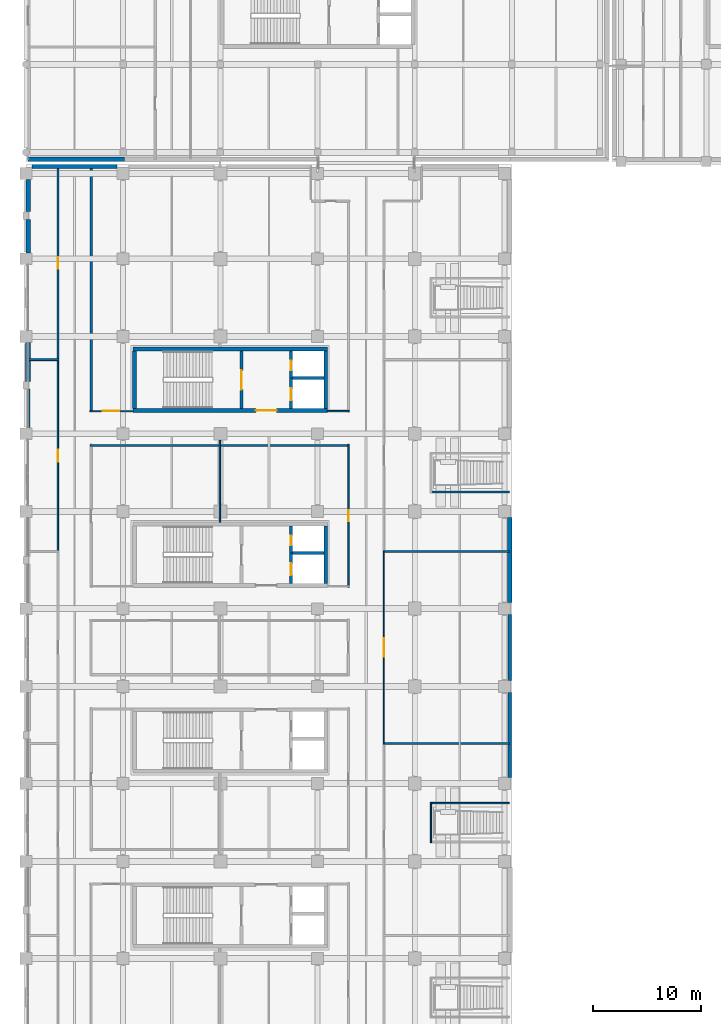
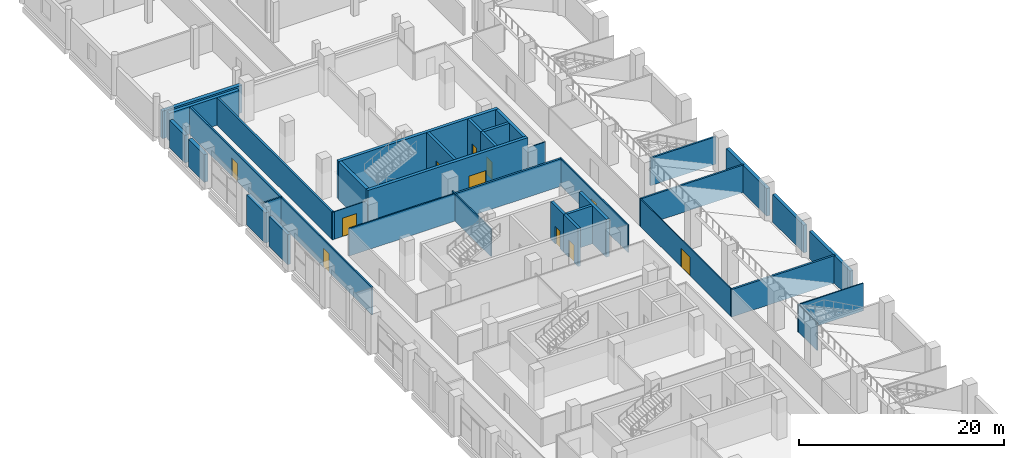
# One storey, part 57 of 100: 37 walls, 11 doors, 11 openings.
"""IFC4 building model written with IfcOpenShell, lengths in metres."""

from ifc_helpers import new_model, si_unit, direction, frame, frame_2d, origin, place, context, subcontext, project, spatial, rectangle, extrude, material, layer, layer_set, type_object, element, fill, save


model = new_model("IFC4")

# Units and contexts
model_context = context("Model", 3, precision=1e-05, world=origin(), true_north=direction((0.0, 1.0)))
body_context = subcontext(model_context, "Body", "Model", "MODEL_VIEW")
ifc_project = project(units=[si_unit("LENGTHUNIT", "METRE"), si_unit("AREAUNIT", "SQUARE_METRE"), si_unit("VOLUMEUNIT", "CUBIC_METRE"), si_unit("PLANEANGLEUNIT", "RADIAN"), si_unit("MASSUNIT", "GRAM", prefix="KILO"), si_unit("THERMODYNAMICTEMPERATUREUNIT", "KELVIN"), si_unit("POWERUNIT", "WATT")], contexts=[model_context])

# Site, building, storey
site_placement = place(None, origin())
site = spatial("IfcSite", under=ifc_project, at=site_placement, CompositionType="ELEMENT")
building_placement = place(site_placement, origin())
building = spatial("IfcBuilding", under=site, at=building_placement, Name="Sindhuravela Promenade Stadium", CompositionType="ELEMENT")
storey_placement = place(building_placement, frame((0.0, 0.0, 4.800048828125)))
storey = spatial("IfcBuildingStorey", under=building, at=storey_placement, Name="L01", CompositionType="ELEMENT", Elevation=4.800048828125)

# Walls
ifc_material_1 = material(Name="Terracotta clay brick masonry (15 MPa)", Category="masonry")
ifc_layer_1 = layer(ifc_material_1, 0.340087890625)
ifc_layer_set_1 = layer_set([ifc_layer_1], Name="Terracotta clay brick masonry (15 MPa)")
wall_type_1 = type_object("IfcWallType", Name="EX-WL-BRK340", PredefinedType="SOLIDWALL", material=ifc_layer_set_1)
wall_1_placement = place(storey_placement, frame((0.199951171875, 101.35498046875, 0.0), z_axis=(0.0, 0.0, 1.0), x_axis=(0.0, 1.0, 0.0)))
element("IfcWall", 1, at=wall_1_placement, inside=storey, type_object=wall_type_1, Name="Exterior masonry wall EW06 WEST L01", PredefinedType="SOLIDWALL", context=body_context, shape_type="SweptSolid", body=[
    extrude(rectangle(XDim=3.590087890625, YDim=0.340087890625, at=frame_2d((1.794921875, 0.0))), origin(), (0.0, 0.0, 1.0), 3.579833984375),
])
wall_2_placement = place(storey_placement, frame((44.800048828125, 76.844970703125, 0.0), z_axis=(0.0, 0.0, 1.0), x_axis=(0.0, -1.0, 0.0)))
element("IfcWall", 2, at=wall_2_placement, inside=storey, type_object=wall_type_1, Name="Exterior masonry wall EW06 WEST L01", PredefinedType="SOLIDWALL", context=body_context, shape_type="SweptSolid", body=[
    extrude(rectangle(XDim=7.889892578125, YDim=0.340087890625, at=frame_2d((3.94482421875, 0.0))), origin(), (0.0, 0.0, 1.0), 3.280029296875),
])
ifc_layer_2 = layer(ifc_material_1, 0.360107421875)
ifc_layer_set_2 = layer_set([ifc_layer_2], Name="Terracotta clay brick masonry (15 MPa)")
wall_type_2 = type_object("IfcWallType", Name="EX-WL-BRK360", PredefinedType="SOLIDWALL", material=ifc_layer_set_2)
wall_3_placement = place(storey_placement, frame((44.800048828125, 84.044921875, 0.0), z_axis=(0.0, 0.0, 1.0), x_axis=(0.0, -1.0, 0.0)))
element("IfcWall", 3, at=wall_3_placement, inside=storey, type_object=wall_type_2, Name="Exterior masonry wall EW05 WEST L01", PredefinedType="SOLIDWALL", context=body_context, shape_type="SweptSolid", body=[
    extrude(rectangle(XDim=6.08984375, YDim=0.360107421875, at=frame_2d((3.044921875, 0.0))), origin(), (0.0, 0.0, 1.0), 3.280029296875),
])
ifc_layer_3 = layer(ifc_material_1, 0.3798828125)
ifc_layer_set_3 = layer_set([ifc_layer_3], Name="Terracotta clay brick masonry (15 MPa)")
wall_type_3 = type_object("IfcWallType", Name="EX-WL-BRK380", PredefinedType="SOLIDWALL", material=ifc_layer_set_3)
wall_4_placement = place(storey_placement, frame((0.554931640625, 125.550048828125, 0.0), z_axis=(0.0, 0.0, 1.0), x_axis=(1.0, 0.0, 0.0)))
element("IfcWall", 4, at=wall_4_placement, inside=storey, type_object=wall_type_3, Name="Exterior masonry wall EW04 WEST L01", PredefinedType="SOLIDWALL", context=body_context, shape_type="SweptSolid", body=[
    extrude(rectangle(XDim=7.89013671875, YDim=0.3798828125, at=frame_2d((3.945068359375, 0.0))), origin(), (0.0, 0.0, 1.0), 3.280029296875),
])
wall_5_placement = place(storey_placement, frame((44.800048828125, 93.044921875, 0.0), z_axis=(0.0, 0.0, 1.0), x_axis=(0.0, -1.0, 0.0)))
element("IfcWall", 5, at=wall_5_placement, inside=storey, type_object=wall_type_3, Name="Exterior masonry wall EW04 WEST L01", PredefinedType="SOLIDWALL", context=body_context, shape_type="SweptSolid", body=[
    extrude(rectangle(XDim=7.889892578125, YDim=0.3798828125, at=frame_2d((3.94482421875, 0.0))), origin(), (0.0, 0.0, 1.0), 3.280029296875),
])
ifc_layer_4 = layer(ifc_material_1, 0.39990234375)
ifc_layer_set_4 = layer_set([ifc_layer_4], Name="Terracotta clay brick masonry (15 MPa)")
wall_type_4 = type_object("IfcWallType", Name="EX-WL-BRK400", PredefinedType="SOLIDWALL", material=ifc_layer_set_4)
wall_6_placement = place(storey_placement, frame((0.199951171875, 121.35498046875, 0.0), z_axis=(0.0, 0.0, 1.0), x_axis=(0.0, 1.0, 0.0)))
element("IfcWall", 6, at=wall_6_placement, inside=storey, type_object=wall_type_4, Name="Exterior masonry wall EW03 WEST L01", PredefinedType="SOLIDWALL", context=body_context, shape_type="SweptSolid", body=[
    extrude(rectangle(XDim=2.989990234375, YDim=0.39990234375, at=frame_2d((1.4951171875, 0.0))), origin(), (0.0, 0.0, 1.0), 3.280029296875),
])
ifc_layer_5 = layer(ifc_material_1, 0.419921875)
ifc_layer_set_5 = layer_set([ifc_layer_5], Name="Terracotta clay brick masonry (15 MPa)")
wall_type_5 = type_object("IfcWallType", Name="EX-WL-BRK420", PredefinedType="SOLIDWALL", material=ifc_layer_set_5)
wall_7_placement = place(storey_placement, frame((0.199951171875, 117.554931640625, 0.0), z_axis=(0.0, 0.0, 1.0), x_axis=(0.0, 1.0, 0.0)))
element("IfcWall", 7, at=wall_7_placement, inside=storey, type_object=wall_type_5, Name="Exterior masonry wall EW02 WEST L01", PredefinedType="SOLIDWALL", context=body_context, shape_type="SweptSolid", body=[
    extrude(rectangle(XDim=3.090087890625, YDim=0.419921875, at=frame_2d((1.544921875, 0.0))), origin(), (0.0, 0.0, 1.0), 3.280029296875),
])
wall_8_placement = place(storey_placement, frame((9.13330078125, 126.199951171875, 0.0), z_axis=(0.0, 0.0, 1.0), x_axis=(-1.0, 0.0, 0.0)))
element("IfcWall", 8, at=wall_8_placement, inside=storey, type_object=wall_type_5, Name="Exterior masonry wall EW02 Pavilion NW L01", PredefinedType="SOLIDWALL", context=body_context, shape_type="SweptSolid", body=[
    extrude(rectangle(XDim=8.933349609375, YDim=0.419921875, at=frame_2d((4.466796875, 0.0))), origin(), (0.0, 0.0, 1.0), 3.280029296875),
])
ifc_layer_6 = layer(ifc_material_1, 0.4599609375)
ifc_layer_set_6 = layer_set([ifc_layer_6], Name="Terracotta clay brick masonry (15 MPa)")
wall_type_6 = type_object("IfcWallType", Name="EX-WL-BRK460", PredefinedType="SOLIDWALL", material=ifc_layer_set_6)
wall_9_placement = place(storey_placement, frame((0.199951171875, 105.655029296875, 0.0), z_axis=(0.0, 0.0, 1.0), x_axis=(0.0, 1.0, 0.0)))
element("IfcWall", 9, at=wall_9_placement, inside=storey, type_object=wall_type_6, Name="Exterior masonry wall EW01 WEST L01", PredefinedType="SOLIDWALL", context=body_context, shape_type="SweptSolid", body=[
    extrude(rectangle(XDim=3.590087890625, YDim=0.4599609375, at=frame_2d((1.794921875, 0.0))), origin(), (0.0, 0.0, 1.0), 3.579833984375),
])

# Wall, opening, door
ifc_material_2 = material(Name="Fire-rated gypsum partition board", Category="gypsum")
ifc_layer_7 = layer(ifc_material_2, 0.110107421875)
ifc_layer_set_7 = layer_set([ifc_layer_7], Name="Fire-rated gypsum partition board")
wall_type_7 = type_object("IfcWallType", Name="IN-WL-PAR110", PredefinedType="PARTITIONING", material=ifc_layer_set_7)
wall_10_placement = place(storey_placement, frame((5.919921875, 102.889892578125, 0.0), z_axis=(0.0, 0.0, 1.0), x_axis=(1.0, 0.0, 0.0)))
wall_10 = element("IfcWall", 10, at=wall_10_placement, inside=storey, type_object=wall_type_7, Name="Corridor partition IW06 Lower Tier Fixed Seating Stands West", PredefinedType="PARTITIONING", context=body_context, shape_type="SweptSolid", body=[
    extrude(rectangle(XDim=3.97802734375, YDim=0.110107421875, at=frame_2d((1.989013671875, 0.0))), origin(), (0.0, 0.0, 1.0), 3.280029296875),
])
opening_1_placement = place(wall_10_placement, frame((1.175048828125, 0.0, 0.0)))
opening_1 = element("IfcOpeningElement", 11, at=opening_1_placement, cuts=wall_10, Name="Opening ID02", PredefinedType="OPENING", context=body_context, shape_type="SweptSolid", body=[
    extrude(rectangle(XDim=1.550048828125, YDim=2.199951171875, at=frame_2d((0.77490234375, 1.10009765625))), frame((0.0, 0.06494140625, 0.0), z_axis=(0.0, -1.0, 0.0), x_axis=(1.0, 0.0, 0.0)), (0.0, 0.0, 1.0), 0.130126953125),
])
ifc_material_3 = material(Name="Architectural teak timber leaf", Category="wood")
door_type_1 = type_object("IfcDoorType", Name="DR-INT-1550x2200", OperationType="DOUBLE_DOOR_SINGLE_SWING", PredefinedType="DOOR", material=ifc_material_3)
door_1_placement = place(opening_1_placement, origin())
door_1 = element("IfcDoor", 12, at=door_1_placement, inside=storey, type_object=door_type_1, Name="Lower Tier Fixed Seating Stands West door", OperationType="DOUBLE_DOOR_SINGLE_SWING", OverallHeight=2.199951171875, OverallWidth=1.550048828125, PredefinedType="DOOR", context=body_context, shape_type="SweptSolid", body=[
    extrude(rectangle(XDim=1.550048828125, YDim=2.199951171875, at=frame_2d((0.77490234375, 1.10009765625))), frame((0.0, 0.02490234375, 0.0), z_axis=(0.0, -1.0, 0.0), x_axis=(1.0, 0.0, 0.0)), (0.0, 0.0, 1.0), 0.050048828125),
])
fill(opening_1, door_1)

wall_11_placement = place(storey_placement, frame((33.139892578125, 89.885986328125, 0.0), z_axis=(0.0, 0.0, 1.0), x_axis=(0.0, -1.0, 0.0)))
wall_11 = element("IfcWall", 13, at=wall_11_placement, inside=storey, type_object=wall_type_7, Name="Corridor partition IW06 Supporters Refreshment Kiosk W1", PredefinedType="PARTITIONING", context=body_context, shape_type="SweptSolid", body=[
    extrude(rectangle(XDim=17.77197265625, YDim=0.110107421875, at=frame_2d((8.885986328125, 0.0))), origin(), (0.0, 0.0, 1.0), 3.280029296875),
])
opening_2_placement = place(wall_11_placement, frame((8.035888671875, 0.0, 0.0)))
opening_2 = element("IfcOpeningElement", 14, at=opening_2_placement, cuts=wall_11, Name="Opening ID01", PredefinedType="OPENING", context=body_context, shape_type="SweptSolid", body=[
    extrude(rectangle(XDim=1.699951171875, YDim=2.199951171875, at=frame_2d((0.85009765625, 1.10009765625))), frame((0.0, 0.06494140625, 0.0), z_axis=(0.0, -1.0, 0.0), x_axis=(1.0, 0.0, 0.0)), (0.0, 0.0, 1.0), 0.130126953125),
])
door_type_2 = type_object("IfcDoorType", Name="DR-INT-1700x2200", OperationType="DOUBLE_DOOR_SINGLE_SWING", PredefinedType="DOOR", material=ifc_material_3)
door_2_placement = place(opening_2_placement, origin())
door_2 = element("IfcDoor", 15, at=door_2_placement, inside=storey, type_object=door_type_2, Name="Supporters Refreshment Kiosk W1 door", OperationType="DOUBLE_DOOR_SINGLE_SWING", OverallHeight=2.199951171875, OverallWidth=1.699951171875, PredefinedType="DOOR", context=body_context, shape_type="SweptSolid", body=[
    extrude(rectangle(XDim=1.699951171875, YDim=2.199951171875, at=frame_2d((0.85009765625, 1.10009765625))), frame((0.0, 0.02490234375, 0.0), z_axis=(0.0, -1.0, 0.0), x_axis=(1.0, 0.0, 0.0)), (0.0, 0.0, 1.0), 0.050048828125),
])
fill(opening_2, door_2)

# Walls
wall_12_placement = place(storey_placement, frame((37.5, 66.679931640625, 0.0), z_axis=(0.0, 0.0, 1.0), x_axis=(0.0, -1.0, 0.0)))
element("IfcWall", 16, at=wall_12_placement, inside=storey, type_object=wall_type_7, Name="Interior partition IW06 WEST L01", PredefinedType="PARTITIONING", context=body_context, shape_type="SweptSolid", body=[
    extrude(rectangle(XDim=3.760009765625, YDim=0.110107421875, at=frame_2d((1.8798828125, 0.0))), origin(), (0.0, 0.0, 1.0), 3.280029296875),
])
ifc_layer_8 = layer(ifc_material_2, 0.1298828125)
ifc_layer_set_8 = layer_set([ifc_layer_8], Name="Fire-rated gypsum partition board")
wall_type_8 = type_object("IfcWallType", Name="IN-WL-PAR130", PredefinedType="PARTITIONING", material=ifc_layer_set_8)
wall_13_placement = place(storey_placement, frame((29.93994140625, 102.889892578125, 0.0), z_axis=(0.0, 0.0, 1.0), x_axis=(-1.0, 0.0, 0.0)))
element("IfcWall", 17, at=wall_13_placement, inside=storey, type_object=wall_type_8, Name="Interior partition IW05 WEST L01", PredefinedType="PARTITIONING", context=body_context, shape_type="SweptSolid", body=[
    extrude(rectangle(XDim=2.037841796875, YDim=0.1298828125, at=frame_2d((1.01904296875, 0.0))), origin(), (0.0, 0.0, 1.0), 3.280029296875),
])
wall_14_placement = place(storey_placement, frame((44.760009765625, 66.60009765625, 0.0), z_axis=(0.0, 0.0, 1.0), x_axis=(-1.0, 0.0, 0.0)))
element("IfcWall", 18, at=wall_14_placement, inside=storey, type_object=wall_type_8, Name="Interior partition IW05 WEST L01", PredefinedType="PARTITIONING", context=body_context, shape_type="SweptSolid", body=[
    extrude(rectangle(XDim=7.340087890625, YDim=0.1298828125, at=frame_2d((3.669921875, 0.0))), origin(), (0.0, 0.0, 1.0), 3.280029296875),
])
wall_15_placement = place(storey_placement, frame((17.949951171875, 100.197998046875, 0.0), z_axis=(0.0, 0.0, 1.0), x_axis=(0.0, -1.0, 0.0)))
element("IfcWall", 19, at=wall_15_placement, inside=storey, type_object=wall_type_8, Name="Interior partition IW05 WEST L01", PredefinedType="PARTITIONING", context=body_context, shape_type="SweptSolid", body=[
    extrude(rectangle(XDim=7.571044921875, YDim=0.1298828125, at=frame_2d((3.78564453125, 0.0))), origin(), (0.0, 0.0, 1.0), 3.280029296875),
])

# Wall, opening, door
wall_16_placement = place(storey_placement, frame((29.860107421875, 86.570068359375, 0.0), z_axis=(0.0, 0.0, 1.0), x_axis=(0.0, 1.0, 0.0)))
wall_16 = element("IfcWall", 20, at=wall_16_placement, inside=storey, type_object=wall_type_8, Name="Corridor partition IW05 Matchday Steward Post West 5", PredefinedType="PARTITIONING", context=body_context, shape_type="SweptSolid", body=[
    extrude(rectangle(XDim=13.260009765625, YDim=0.1298828125, at=frame_2d((6.6298828125, 0.0))), origin(), (0.0, 0.0, 1.0), 3.280029296875),
])
opening_3_placement = place(wall_16_placement, frame((6.10498046875, 0.0, 0.0)))
opening_3 = element("IfcOpeningElement", 21, at=opening_3_placement, cuts=wall_16, Name="Opening ID07", PredefinedType="OPENING", context=body_context, shape_type="SweptSolid", body=[
    extrude(rectangle(XDim=1.050048828125, YDim=2.10009765625, at=frame_2d((0.52490234375, 1.050048828125))), frame((0.0, 0.074951171875, 0.0), z_axis=(0.0, -1.0, 0.0), x_axis=(1.0, 0.0, 0.0)), (0.0, 0.0, 1.0), 0.14990234375),
])
door_type_3 = type_object("IfcDoorType", Name="DR-INT-1050x2100", OperationType="NOTDEFINED", PredefinedType="DOOR", material=ifc_material_3)
door_3_placement = place(opening_3_placement, origin())
door_3 = element("IfcDoor", 22, at=door_3_placement, inside=storey, type_object=door_type_3, Name="Matchday Steward Post West 5 door", OperationType="SINGLE_SWING_LEFT", OverallHeight=2.10009765625, OverallWidth=1.050048828125, PredefinedType="DOOR", context=body_context, shape_type="SweptSolid", body=[
    extrude(rectangle(XDim=1.050048828125, YDim=2.10009765625, at=frame_2d((0.52490234375, 1.050048828125))), frame((0.0, 0.02490234375, 0.0), z_axis=(0.0, -1.0, 0.0), x_axis=(1.0, 0.0, 0.0)), (0.0, 0.0, 1.0), 0.050048828125),
])
fill(opening_3, door_3)

# Wall
ifc_layer_9 = layer(ifc_material_2, 0.14990234375)
ifc_layer_set_9 = layer_set([ifc_layer_9], Name="Fire-rated gypsum partition board")
wall_type_9 = type_object("IfcWallType", Name="IN-WL-PAR150", PredefinedType="PARTITIONING", material=ifc_layer_set_9)
wall_17_placement = place(storey_placement, frame((5.9599609375, 99.7099609375, 0.0), z_axis=(0.0, 0.0, 1.0), x_axis=(1.0, 0.0, 0.0)))
element("IfcWall", 23, at=wall_17_placement, inside=storey, type_object=wall_type_9, Name="Interior partition IW04 WEST L01", PredefinedType="PARTITIONING", context=body_context, shape_type="SweptSolid", body=[
    extrude(rectangle(XDim=11.949951171875, YDim=0.14990234375, at=frame_2d((5.97509765625, 0.0))), origin(), (0.0, 0.0, 1.0), 3.280029296875),
])

# Wall, opening, door
wall_18_placement = place(storey_placement, frame((2.9599609375, 89.885986328125, 0.0), z_axis=(0.0, 0.0, 1.0), x_axis=(0.0, 1.0, 0.0)))
wall_18 = element("IfcWall", 24, at=wall_18_placement, inside=storey, type_object=wall_type_9, Name="Corridor partition IW04 Supporters Refreshment Kiosk W2 11", PredefinedType="PARTITIONING", context=body_context, shape_type="SweptSolid", body=[
    extrude(rectangle(XDim=17.77197265625, YDim=0.14990234375, at=frame_2d((8.885986328125, 0.0))), origin(), (0.0, 0.0, 1.0), 3.280029296875),
])
opening_4_placement = place(wall_18_placement, frame((8.325927734375, 0.0, 0.0)))
opening_4 = element("IfcOpeningElement", 25, at=opening_4_placement, cuts=wall_18, Name="Opening ID13", PredefinedType="OPENING", context=body_context, shape_type="SweptSolid", body=[
    extrude(rectangle(XDim=1.1201171875, YDim=2.219970703125, at=frame_2d((0.56005859375, 1.10986328125))), frame((0.0, 0.0849609375, 0.0), z_axis=(0.0, -1.0, 0.0), x_axis=(1.0, 0.0, 0.0)), (0.0, 0.0, 1.0), 0.169921875),
])
door_type_4 = type_object("IfcDoorType", Name="DR-INT-1120x2220", OperationType="NOTDEFINED", PredefinedType="DOOR", material=ifc_material_3)
door_4_placement = place(opening_4_placement, origin())
door_4 = element("IfcDoor", 26, at=door_4_placement, inside=storey, type_object=door_type_4, Name="Supporters Refreshment Kiosk W2 11 door", OperationType="SINGLE_SWING_LEFT", OverallHeight=2.219970703125, OverallWidth=1.1201171875, PredefinedType="DOOR", context=body_context, shape_type="SweptSolid", body=[
    extrude(rectangle(XDim=1.1201171875, YDim=2.219970703125, at=frame_2d((0.56005859375, 1.10986328125))), frame((0.0, 0.02490234375, 0.0), z_axis=(0.0, -1.0, 0.0), x_axis=(1.0, 0.0, 0.0)), (0.0, 0.0, 1.0), 0.050048828125),
])
fill(opening_4, door_4)

# Walls
ifc_layer_10 = layer(ifc_material_2, 0.175048828125)
ifc_layer_set_10 = layer_set([ifc_layer_10], Name="Fire-rated gypsum partition board")
wall_type_10 = type_object("IfcWallType", Name="IN-WL-PAR175", PredefinedType="PARTITIONING", material=ifc_layer_set_10)
wall_19_placement = place(storey_placement, frame((3.0400390625, 107.657958984375, 0.0), z_axis=(0.0, 0.0, 1.0), x_axis=(-1.0, 0.0, 0.0)))
element("IfcWall", 27, at=wall_19_placement, inside=storey, type_object=wall_type_10, Name="Interior partition IW03 WEST L01", PredefinedType="PARTITIONING", context=body_context, shape_type="SweptSolid", body=[
    extrude(rectangle(XDim=2.800048828125, YDim=0.175048828125, at=frame_2d((1.39990234375, 0.0))), origin(), (0.0, 0.0, 1.0), 3.280029296875),
])
ifc_layer_11 = layer(ifc_material_2, 0.195068359375)
ifc_layer_set_11 = layer_set([ifc_layer_11], Name="Fire-rated gypsum partition board")
wall_type_11 = type_object("IfcWallType", Name="IN-WL-PAR195", PredefinedType="PARTITIONING", material=ifc_layer_set_11)
wall_20_placement = place(storey_placement, frame((33.06005859375, 89.885986328125, 0.0), z_axis=(0.0, 0.0, 1.0), x_axis=(1.0, 0.0, 0.0)))
element("IfcWall", 28, at=wall_20_placement, inside=storey, type_object=wall_type_11, Name="Interior partition IW02 WEST L01", PredefinedType="PARTITIONING", context=body_context, shape_type="SweptSolid", body=[
    extrude(rectangle(XDim=11.699951171875, YDim=0.195068359375, at=frame_2d((5.85009765625, 0.0))), origin(), (0.0, 0.0, 1.0), 3.280029296875),
])
wall_21_placement = place(storey_placement, frame((37.419921875, 95.39990234375, 0.0), z_axis=(0.0, 0.0, 1.0), x_axis=(1.0, 0.0, 0.0)))
element("IfcWall", 29, at=wall_21_placement, inside=storey, type_object=wall_type_11, Name="Interior partition IW02 WEST L01", PredefinedType="PARTITIONING", context=body_context, shape_type="SweptSolid", body=[
    extrude(rectangle(XDim=7.340087890625, YDim=0.195068359375, at=frame_2d((3.669921875, 0.0))), origin(), (0.0, 0.0, 1.0), 3.280029296875),
])

# Wall, opening, door
wall_22_placement = place(storey_placement, frame((2.9599609375, 107.657958984375, 0.0), z_axis=(0.0, 0.0, 1.0), x_axis=(0.0, 1.0, 0.0)))
wall_22 = element("IfcWall", 30, at=wall_22_placement, inside=storey, type_object=wall_type_11, Name="Corridor partition IW02 Supporters Refreshment Kiosk W1 10", PredefinedType="PARTITIONING", context=body_context, shape_type="SweptSolid", body=[
    extrude(rectangle(XDim=17.89208984375, YDim=0.195068359375, at=frame_2d((8.946044921875, 0.0))), origin(), (0.0, 0.0, 1.0), 3.280029296875),
])
opening_5_placement = place(wall_22_placement, frame((8.406005859375, 0.0, 0.0)))
opening_5 = element("IfcOpeningElement", 31, at=opening_5_placement, cuts=wall_22, Name="Opening ID12", PredefinedType="OPENING", context=body_context, shape_type="SweptSolid", body=[
    extrude(rectangle(XDim=1.080078125, YDim=2.179931640625, at=frame_2d((0.5400390625, 1.08984375))), frame((0.0, 0.107421875, 0.0), z_axis=(0.0, -1.0, 0.0), x_axis=(1.0, 0.0, 0.0)), (0.0, 0.0, 1.0), 0.215087890625),
])
door_type_5 = type_object("IfcDoorType", Name="DR-INT-1080x2180", OperationType="NOTDEFINED", PredefinedType="DOOR", material=ifc_material_3)
door_5_placement = place(opening_5_placement, origin())
door_5 = element("IfcDoor", 32, at=door_5_placement, inside=storey, type_object=door_type_5, Name="Supporters Refreshment Kiosk W1 10 door", OperationType="SINGLE_SWING_RIGHT", OverallHeight=2.179931640625, OverallWidth=1.080078125, PredefinedType="DOOR", context=body_context, shape_type="SweptSolid", body=[
    extrude(rectangle(XDim=1.080078125, YDim=2.179931640625, at=frame_2d((0.5400390625, 1.08984375))), frame((0.0, 0.02490234375, 0.0), z_axis=(0.0, -1.0, 0.0), x_axis=(1.0, 0.0, 0.0)), (0.0, 0.0, 1.0), 0.050048828125),
])
fill(opening_5, door_5)

# Walls
ifc_layer_12 = layer(ifc_material_2, 0.219970703125)
ifc_layer_set_12 = layer_set([ifc_layer_12], Name="Fire-rated gypsum partition board")
wall_type_12 = type_object("IfcWallType", Name="IN-WL-PAR220", PredefinedType="PARTITIONING", material=ifc_layer_set_12)
wall_23_placement = place(storey_placement, frame((6.0400390625, 102.81005859375, 0.0), z_axis=(0.0, 0.0, 1.0), x_axis=(0.0, 1.0, 0.0)))
element("IfcWall", 33, at=wall_23_placement, inside=storey, type_object=wall_type_12, Name="Interior partition IW01 WEST L01", PredefinedType="PARTITIONING", context=body_context, shape_type="SweptSolid", body=[
    extrude(rectangle(XDim=22.699951171875, YDim=0.219970703125, at=frame_2d((11.35009765625, 0.0))), origin(), (0.0, 0.0, 1.0), 3.280029296875),
])
wall_24_placement = place(storey_placement, frame((44.760009765625, 72.114013671875, 0.0), z_axis=(0.0, 0.0, 1.0), x_axis=(-1.0, 0.0, 0.0)))
element("IfcWall", 34, at=wall_24_placement, inside=storey, type_object=wall_type_12, Name="Interior partition IW01 WEST L01", PredefinedType="PARTITIONING", context=body_context, shape_type="SweptSolid", body=[
    extrude(rectangle(XDim=11.699951171875, YDim=0.219970703125, at=frame_2d((5.85009765625, 0.0))), origin(), (0.0, 0.0, 1.0), 3.280029296875),
])
wall_25_placement = place(storey_placement, frame((17.989990234375, 99.7099609375, 0.0), z_axis=(0.0, 0.0, 1.0), x_axis=(1.0, 0.0, 0.0)))
element("IfcWall", 35, at=wall_25_placement, inside=storey, type_object=wall_type_12, Name="Interior partition IW01 WEST L01", PredefinedType="PARTITIONING", context=body_context, shape_type="SweptSolid", body=[
    extrude(rectangle(XDim=11.949951171875, YDim=0.219970703125, at=frame_2d((5.97509765625, 0.0))), origin(), (0.0, 0.0, 1.0), 3.280029296875),
])

# Wall, opening, door
ifc_material_4 = material(Name="Concrete M50", Category="concrete")
ifc_layer_13 = layer(ifc_material_4, 0.300048828125)
ifc_layer_set_13 = layer_set([ifc_layer_13], Name="Concrete M50")
wall_type_13 = type_object("IfcWallType", Name="RC-SW-300", PredefinedType="SHEAR", material=ifc_layer_set_13)
wall_26_placement = place(storey_placement, frame((24.550048828125, 86.925048828125, 0.0), z_axis=(0.0, 0.0, 1.0), x_axis=(0.0, 1.0, 0.0)))
wall_26 = element("IfcWall", 36, at=wall_26_placement, inside=storey, type_object=wall_type_13, Name="Core shear wall C03-LFT (L01)", PredefinedType="SHEAR", context=body_context, shape_type="SweptSolid", body=[
    extrude(rectangle(XDim=2.824951171875, YDim=0.300048828125, at=frame_2d((1.41259765625, 0.0))), origin(), (0.0, 0.0, 1.0), 4.52001953125),
])
opening_6_placement = place(wall_26_placement, frame((0.77490234375, 0.0, 0.0)))
opening_6 = element("IfcOpeningElement", 37, at=opening_6_placement, cuts=wall_26, Name="Opening LD", PredefinedType="OPENING", context=body_context, shape_type="SweptSolid", body=[
    extrude(rectangle(XDim=1.10009765625, YDim=2.10009765625, at=frame_2d((0.550048828125, 1.050048828125))), frame((0.0, 0.159912109375, 0.0), z_axis=(0.0, -1.0, 0.0), x_axis=(1.0, 0.0, 0.0)), (0.0, 0.0, 1.0), 0.320068359375),
])
ifc_material_5 = material(Name="Architectural wrought steel E350", Category="steel")
door_type_6 = type_object("IfcDoorType", Name="DR-LFT-1100x2100", OperationType="DOUBLE_DOOR_SLIDING", PredefinedType="DOOR", material=ifc_material_5)
door_6_placement = place(opening_6_placement, origin())
door_6 = element("IfcDoor", 38, at=door_6_placement, inside=storey, type_object=door_type_6, Name="Lift FL03 landing door (L01)", OperationType="DOUBLE_DOOR_SLIDING", OverallHeight=2.10009765625, OverallWidth=1.10009765625, PredefinedType="DOOR", context=body_context, shape_type="SweptSolid", body=[
    extrude(rectangle(XDim=1.10009765625, YDim=2.10009765625, at=frame_2d((0.550048828125, 1.050048828125))), frame((0.0, 0.02490234375, 0.0), z_axis=(0.0, -1.0, 0.0), x_axis=(1.0, 0.0, 0.0)), (0.0, 0.0, 1.0), 0.050048828125),
])
fill(opening_6, door_6)

wall_27_placement = place(storey_placement, frame((24.550048828125, 89.75, 0.0), z_axis=(0.0, 0.0, 1.0), x_axis=(0.0, 1.0, 0.0)))
wall_27 = element("IfcWall", 39, at=wall_27_placement, inside=storey, type_object=wall_type_13, Name="Core shear wall C03-RSR (L01)", PredefinedType="SHEAR", context=body_context, shape_type="SweptSolid", body=[
    extrude(rectangle(XDim=2.52490234375, YDim=0.300048828125, at=frame_2d((1.262451171875, 0.0))), origin(), (0.0, 0.0, 1.0), 4.52001953125),
])
opening_7_placement = place(wall_27_placement, frame((0.72509765625, 0.0, 0.0)))
opening_7 = element("IfcOpeningElement", 40, at=opening_7_placement, cuts=wall_27, Name="Opening FD03", PredefinedType="OPENING", context=body_context, shape_type="SweptSolid", body=[
    extrude(rectangle(XDim=0.89990234375, YDim=2.10009765625, at=frame_2d((0.449951171875, 1.050048828125))), frame((0.0, 0.159912109375, 0.0), z_axis=(0.0, -1.0, 0.0), x_axis=(1.0, 0.0, 0.0)), (0.0, 0.0, 1.0), 0.320068359375),
])
door_type_7 = type_object("IfcDoorType", Name="DR-RSR-900x2100", OperationType="NOTDEFINED", PredefinedType="DOOR", material=ifc_material_5)
door_7_placement = place(opening_7_placement, origin())
door_7 = element("IfcDoor", 41, at=door_7_placement, inside=storey, type_object=door_type_7, Name="Riser shaft access door C03 (L01)", OperationType="SINGLE_SWING_RIGHT", OverallHeight=2.10009765625, OverallWidth=0.89990234375, PredefinedType="DOOR", context=body_context, shape_type="SweptSolid", body=[
    extrude(rectangle(XDim=0.89990234375, YDim=2.10009765625, at=frame_2d((0.449951171875, 1.050048828125))), frame((0.0, 0.02490234375, 0.0), z_axis=(0.0, -1.0, 0.0), x_axis=(1.0, 0.0, 0.0)), (0.0, 0.0, 1.0), 0.050048828125),
])
fill(opening_7, door_7)

# Wall
wall_28_placement = place(storey_placement, frame((24.699951171875, 89.75, 0.0), z_axis=(0.0, 0.0, 1.0), x_axis=(1.0, 0.0, 0.0)))
element("IfcWall", 42, at=wall_28_placement, inside=storey, type_object=wall_type_13, Name="Core shear wall C03-DIV (L01)", PredefinedType="SHEAR", context=body_context, shape_type="SweptSolid", body=[
    extrude(rectangle(XDim=2.875, YDim=0.300048828125, at=frame_2d((1.4375, 0.0))), origin(), (0.0, 0.0, 1.0), 4.52001953125),
])

# Wall, opening, door
wall_29_placement = place(storey_placement, frame((19.949951171875, 103.125, 0.0), z_axis=(0.0, 0.0, 1.0), x_axis=(0.0, 1.0, 0.0)))
wall_29 = element("IfcWall", 43, at=wall_29_placement, inside=storey, type_object=wall_type_13, Name="Core shear wall C04-ST (L01)", PredefinedType="SHEAR", context=body_context, shape_type="SweptSolid", body=[
    extrude(rectangle(XDim=5.35009765625, YDim=0.300048828125, at=frame_2d((2.675048828125, 0.0))), origin(), (0.0, 0.0, 1.0), 4.52001953125),
])
opening_8_placement = place(wall_29_placement, frame((1.75, 0.0, 0.0)))
opening_8 = element("IfcOpeningElement", 44, at=opening_8_placement, cuts=wall_29, Name="Opening FD01", PredefinedType="OPENING", context=body_context, shape_type="SweptSolid", body=[
    extrude(rectangle(XDim=1.800048828125, YDim=2.25, at=frame_2d((0.89990234375, 1.125))), frame((0.0, 0.159912109375, 0.0), z_axis=(0.0, -1.0, 0.0), x_axis=(1.0, 0.0, 0.0)), (0.0, 0.0, 1.0), 0.320068359375),
])
door_type_8 = type_object("IfcDoorType", Name="DR-CORE-1800x2250", OperationType="DOUBLE_DOOR_SINGLE_SWING", PredefinedType="DOOR", material=ifc_material_5)
door_8_placement = place(opening_8_placement, origin())
door_8 = element("IfcDoor", 45, at=door_8_placement, inside=storey, type_object=door_type_8, Name="Stair ST04 lobby fire door (L01)", OperationType="DOUBLE_DOOR_SINGLE_SWING", OverallHeight=2.25, OverallWidth=1.800048828125, PredefinedType="DOOR", context=body_context, shape_type="SweptSolid", body=[
    extrude(rectangle(XDim=1.800048828125, YDim=2.25, at=frame_2d((0.89990234375, 1.125))), frame((0.0, 0.02490234375, 0.0), z_axis=(0.0, -1.0, 0.0), x_axis=(1.0, 0.0, 0.0)), (0.0, 0.0, 1.0), 0.050048828125),
])
fill(opening_8, door_8)

wall_30_placement = place(storey_placement, frame((24.550048828125, 103.125, 0.0), z_axis=(0.0, 0.0, 1.0), x_axis=(0.0, 1.0, 0.0)))
wall_30 = element("IfcWall", 46, at=wall_30_placement, inside=storey, type_object=wall_type_13, Name="Core shear wall C04-LFT (L01)", PredefinedType="SHEAR", context=body_context, shape_type="SweptSolid", body=[
    extrude(rectangle(XDim=2.824951171875, YDim=0.300048828125, at=frame_2d((1.41259765625, 0.0))), origin(), (0.0, 0.0, 1.0), 4.52001953125),
])
opening_9_placement = place(wall_30_placement, frame((0.77490234375, 0.0, 0.0)))
opening_9 = element("IfcOpeningElement", 47, at=opening_9_placement, cuts=wall_30, Name="Opening LD", PredefinedType="OPENING", context=body_context, shape_type="SweptSolid", body=[
    extrude(rectangle(XDim=1.10009765625, YDim=2.10009765625, at=frame_2d((0.550048828125, 1.050048828125))), frame((0.0, 0.159912109375, 0.0), z_axis=(0.0, -1.0, 0.0), x_axis=(1.0, 0.0, 0.0)), (0.0, 0.0, 1.0), 0.320068359375),
])
door_9_placement = place(opening_9_placement, origin())
door_9 = element("IfcDoor", 48, at=door_9_placement, inside=storey, type_object=door_type_6, Name="Lift FL04 landing door (L01)", OperationType="DOUBLE_DOOR_SLIDING", OverallHeight=2.10009765625, OverallWidth=1.10009765625, PredefinedType="DOOR", context=body_context, shape_type="SweptSolid", body=[
    extrude(rectangle(XDim=1.10009765625, YDim=2.10009765625, at=frame_2d((0.550048828125, 1.050048828125))), frame((0.0, 0.02490234375, 0.0), z_axis=(0.0, -1.0, 0.0), x_axis=(1.0, 0.0, 0.0)), (0.0, 0.0, 1.0), 0.050048828125),
])
fill(opening_9, door_9)

wall_31_placement = place(storey_placement, frame((24.550048828125, 105.949951171875, 0.0), z_axis=(0.0, 0.0, 1.0), x_axis=(0.0, 1.0, 0.0)))
wall_31 = element("IfcWall", 49, at=wall_31_placement, inside=storey, type_object=wall_type_13, Name="Core shear wall C04-RSR (L01)", PredefinedType="SHEAR", context=body_context, shape_type="SweptSolid", body=[
    extrude(rectangle(XDim=2.525146484375, YDim=0.300048828125, at=frame_2d((1.2626953125, 0.0))), origin(), (0.0, 0.0, 1.0), 4.52001953125),
])
opening_10_placement = place(wall_31_placement, frame((0.72509765625, 0.0, 0.0)))
opening_10 = element("IfcOpeningElement", 50, at=opening_10_placement, cuts=wall_31, Name="Opening FD03", PredefinedType="OPENING", context=body_context, shape_type="SweptSolid", body=[
    extrude(rectangle(XDim=0.89990234375, YDim=2.10009765625, at=frame_2d((0.449951171875, 1.050048828125))), frame((0.0, 0.159912109375, 0.0), z_axis=(0.0, -1.0, 0.0), x_axis=(1.0, 0.0, 0.0)), (0.0, 0.0, 1.0), 0.320068359375),
])
door_10_placement = place(opening_10_placement, origin())
door_10 = element("IfcDoor", 51, at=door_10_placement, inside=storey, type_object=door_type_7, Name="Riser shaft access door C04 (L01)", OperationType="SINGLE_SWING_RIGHT", OverallHeight=2.10009765625, OverallWidth=0.89990234375, PredefinedType="DOOR", context=body_context, shape_type="SweptSolid", body=[
    extrude(rectangle(XDim=0.89990234375, YDim=2.10009765625, at=frame_2d((0.449951171875, 1.050048828125))), frame((0.0, 0.02490234375, 0.0), z_axis=(0.0, -1.0, 0.0), x_axis=(1.0, 0.0, 0.0)), (0.0, 0.0, 1.0), 0.050048828125),
])
fill(opening_10, door_10)

# Walls
wall_32_placement = place(storey_placement, frame((24.699951171875, 105.949951171875, 0.0), z_axis=(0.0, 0.0, 1.0), x_axis=(1.0, 0.0, 0.0)))
element("IfcWall", 52, at=wall_32_placement, inside=storey, type_object=wall_type_13, Name="Core shear wall C04-DIV (L01)", PredefinedType="SHEAR", context=body_context, shape_type="SweptSolid", body=[
    extrude(rectangle(XDim=2.875, YDim=0.300048828125, at=frame_2d((1.4375, 0.0))), origin(), (0.0, 0.0, 1.0), 4.52001953125),
])
ifc_layer_14 = layer(ifc_material_4, 0.35009765625)
ifc_layer_set_14 = layer_set([ifc_layer_14], Name="Concrete M50")
wall_type_14 = type_object("IfcWallType", Name="RC-SW-350", PredefinedType="SHEAR", material=ifc_layer_set_14)
wall_33_placement = place(storey_placement, frame((27.75, 86.925048828125, 0.0), z_axis=(0.0, 0.0, 1.0), x_axis=(0.0, 1.0, 0.0)))
element("IfcWall", 53, at=wall_33_placement, inside=storey, type_object=wall_type_14, Name="Core shear wall C03-E (L01)", PredefinedType="SHEAR", context=body_context, shape_type="SweptSolid", body=[
    extrude(rectangle(XDim=5.349853515625, YDim=0.35009765625, at=frame_2d((2.6748046875, 0.0))), origin(), (0.0, 0.0, 1.0), 4.52001953125),
])

# Wall, opening, door
wall_34_placement = place(storey_placement, frame((9.89990234375, 102.949951171875, 0.0), z_axis=(0.0, 0.0, 1.0), x_axis=(1.0, 0.0, 0.0)))
wall_34 = element("IfcWall", 54, at=wall_34_placement, inside=storey, type_object=wall_type_14, Name="Core shear wall C04-S (L01)", PredefinedType="SHEAR", context=body_context, shape_type="SweptSolid", body=[
    extrude(rectangle(XDim=18.0, YDim=0.35009765625, at=frame_2d((9.0, 0.0))), origin(), (0.0, 0.0, 1.0), 4.52001953125),
])
opening_11_placement = place(wall_34_placement, frame((11.39990234375, 0.0, 0.0)))
opening_11 = element("IfcOpeningElement", 55, at=opening_11_placement, cuts=wall_34, Name="Opening FD02", PredefinedType="OPENING", context=body_context, shape_type="SweptSolid", body=[
    extrude(rectangle(XDim=1.89990234375, YDim=2.25, at=frame_2d((0.949951171875, 1.125))), frame((0.0, 0.18505859375, 0.0), z_axis=(0.0, -1.0, 0.0), x_axis=(1.0, 0.0, 0.0)), (0.0, 0.0, 1.0), 0.3701171875),
])
door_type_9 = type_object("IfcDoorType", Name="DR-LOB-1900x2250", OperationType="DOUBLE_DOOR_SINGLE_SWING", PredefinedType="DOOR", material=ifc_material_5)
door_11_placement = place(opening_11_placement, origin())
door_11 = element("IfcDoor", 56, at=door_11_placement, inside=storey, type_object=door_type_9, Name="Protected lobby entrance door C04 (L01)", OperationType="DOUBLE_DOOR_SINGLE_SWING", OverallHeight=2.25, OverallWidth=1.89990234375, PredefinedType="DOOR", context=body_context, shape_type="SweptSolid", body=[
    extrude(rectangle(XDim=1.89990234375, YDim=2.25, at=frame_2d((0.949951171875, 1.125))), frame((0.0, 0.02490234375, 0.0), z_axis=(0.0, -1.0, 0.0), x_axis=(1.0, 0.0, 0.0)), (0.0, 0.0, 1.0), 0.050048828125),
])
fill(opening_11, door_11)

# Walls
wall_35_placement = place(storey_placement, frame((27.89990234375, 108.64990234375, 0.0), z_axis=(0.0, 0.0, 1.0), x_axis=(-1.0, 0.0, 0.0)))
element("IfcWall", 57, at=wall_35_placement, inside=storey, type_object=wall_type_14, Name="Core shear wall C04-N (L01)", PredefinedType="SHEAR", context=body_context, shape_type="SweptSolid", body=[
    extrude(rectangle(XDim=18.0, YDim=0.35009765625, at=frame_2d((9.0, 0.0))), origin(), (0.0, 0.0, 1.0), 4.52001953125),
])
for number, where, z_axis, x_axis, name in (
    (58, (10.050048828125, 108.47509765625, 0.0), (0.0, 0.0, 1.0), (0.0, -1.0, 0.0), "Core shear wall C04-W (L01)"),
    (59, (27.75, 103.125, 0.0), (0.0, 0.0, 1.0), (0.0, 1.0, 0.0), "Core shear wall C04-E (L01)"),
):
    element("IfcWall", number, at=place(storey_placement, frame(where, z_axis=z_axis, x_axis=x_axis)), inside=storey, type_object=wall_type_14, Name=name, PredefinedType="SHEAR", context=body_context, shape_type="SweptSolid", body=[
        extrude(rectangle(XDim=5.35009765625, YDim=0.35009765625, at=frame_2d((2.675048828125, 0.0))), origin(), (0.0, 0.0, 1.0), 4.52001953125),
    ])

save(model, "model.ifc")
